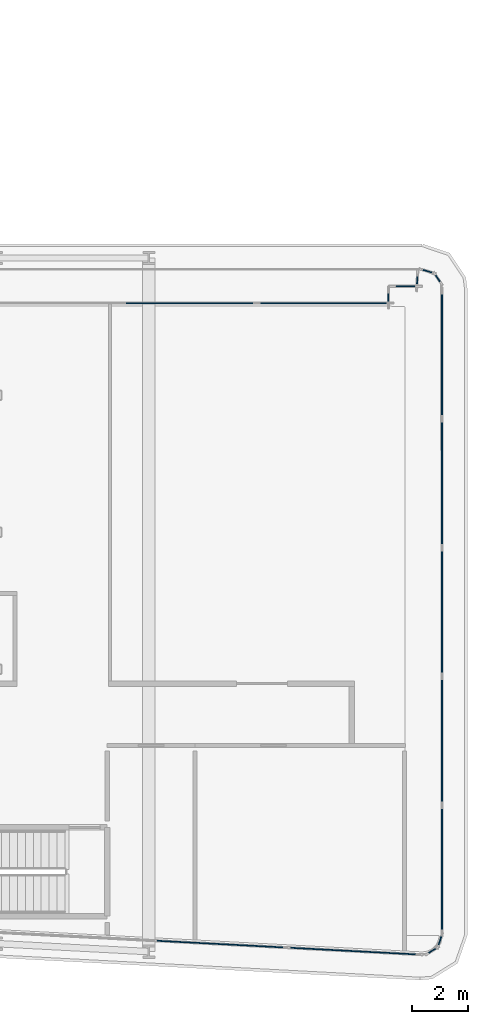
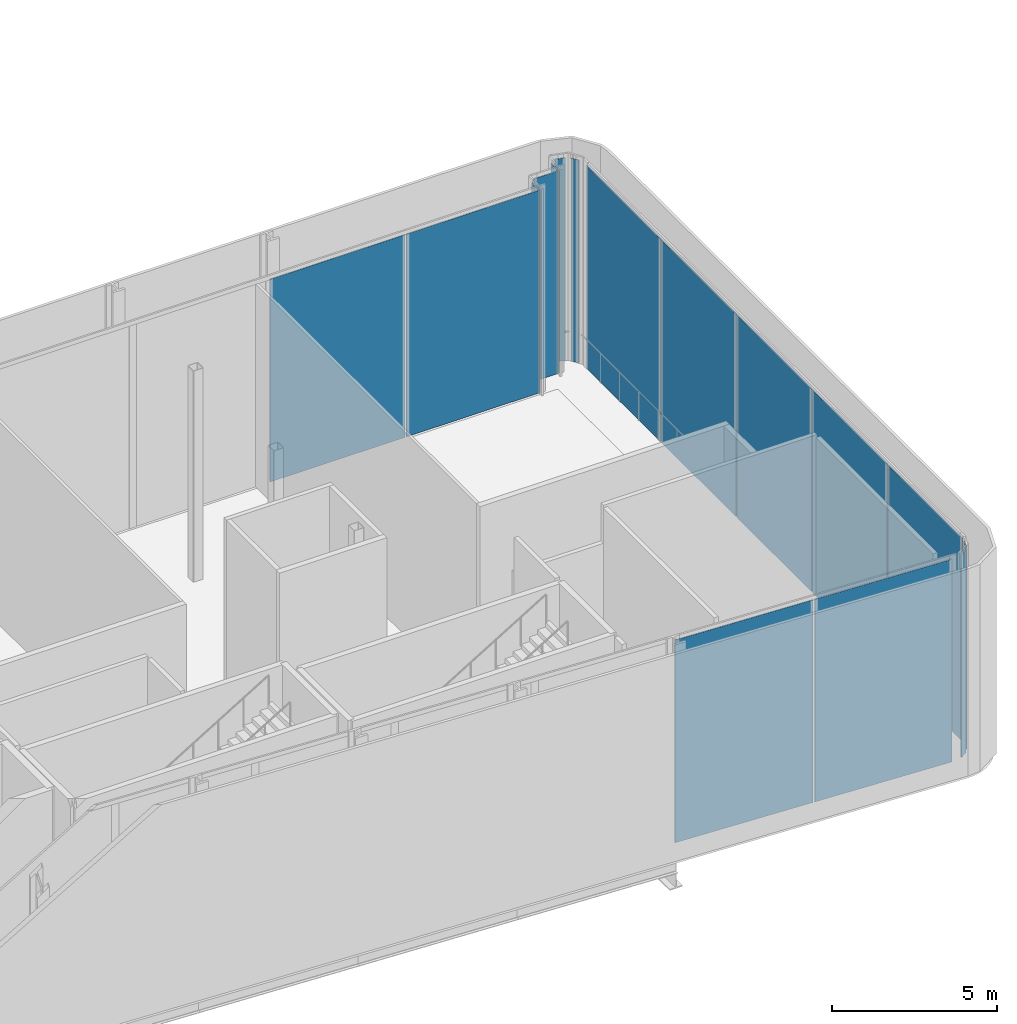
# One storey, part 22 of 36: 16 plates, 10 elements without a shape of their own.
"""IFC4 building model written with IfcOpenShell, lengths in metres."""

import ifcopenshell
import ifcopenshell.guid

model = None  # the IFC model being written
_history = None  # IfcOwnerHistory: only IFC2X3 demands one
_inside = {}  # id of a spatial element -> (the spatial element, [elements in it])
_under = {}  # id of a project, library or spatial element -> (it, [spatial elements below it])
_declared = {}  # id of a project -> (the project, [libraries it declares])
_typed = {}  # id of a type object -> (the type object, [elements of that type])
_made_of = {}  # id of a material, layer set ... -> (it, [elements and type objects made of it])


def new_model(schema):
    """Start an empty IFC model of exactly this schema.

    Asked for "IFC4X3", IfcOpenShell would pick the latest addendum, in which some entities
    have other attributes; the version numbers below select the first issue.
    IFC2X3 requires an IfcOwnerHistory on every rooted entity: one is made here for all.
    """
    global model, _history
    if schema == "IFC4X3":
        model = ifcopenshell.file(schema_version=(4, 3, 0, 0))
    else:
        model = ifcopenshell.file(schema=schema)
    _inside.clear()
    _under.clear()
    _declared.clear()
    _typed.clear()
    _made_of.clear()
    _history = None
    if model.schema == "IFC2X3":
        org = make("IfcOrganization", Name="unknown")
        user = make(
            "IfcPersonAndOrganization",
            ThePerson=make("IfcPerson", FamilyName="unknown"),
            TheOrganization=org,
        )
        app = make(
            "IfcApplication",
            ApplicationDeveloper=org,
            Version="unknown",
            ApplicationFullName="unknown",
            ApplicationIdentifier="unknown",
        )
        _history = make(
            "IfcOwnerHistory",
            OwningUser=user,
            OwningApplication=app,
            ChangeAction="ADDED",
            CreationDate=0,
        )
    return model


def make(cls, **values):
    """One entity of the class cls with the attributes given. An attribute that is None is left unset."""
    return model.create_entity(
        cls, **{name: value for name, value in values.items() if value is not None}
    )


def rooted(cls, **values):
    """An entity with a GlobalId (a new one), such as an element, a storey or a relation."""
    return make(cls, GlobalId=ifcopenshell.guid.new(), OwnerHistory=_history, **values)


def si_unit(unit_type, name, prefix=None):
    """IfcSIUnit, for example si_unit("LENGTHUNIT", "METRE", prefix="MILLI")."""
    return make("IfcSIUnit", UnitType=unit_type, Prefix=prefix, Name=name)


def assignment(units):
    """IfcUnitAssignment: the units of a project."""
    return None if units is None else make("IfcUnitAssignment", Units=units)


def point(xyz):
    """IfcCartesianPoint."""
    return None if xyz is None else make("IfcCartesianPoint", Coordinates=xyz)


def direction(xyz):
    """IfcDirection."""
    return None if xyz is None else make("IfcDirection", DirectionRatios=xyz)


def frame(location, z_axis=None, x_axis=None):
    """IfcAxis2Placement3D, a coordinate frame: its origin and axes. An axis left out is left unset."""
    return make(
        "IfcAxis2Placement3D",
        Location=point(location),
        Axis=direction(z_axis),
        RefDirection=direction(x_axis),
    )


def frame_2d(location, x_axis=None):
    """IfcAxis2Placement2D, a coordinate frame in the plane: its origin and x axis."""
    return make(
        "IfcAxis2Placement2D", Location=point(location), RefDirection=direction(x_axis)
    )


def origin():
    """The frame at (0, 0, 0) with its axes left unset."""
    return frame((0.0, 0.0, 0.0))


def origin_2d():
    """The frame at (0, 0) in the plane with its x axis left unset."""
    return frame_2d((0.0, 0.0))


def place(relative_to, where):
    """IfcLocalPlacement: puts the frame where relative to a parent placement (None: the world)."""
    return make(
        "IfcLocalPlacement", PlacementRelTo=relative_to, RelativePlacement=where
    )


def context(
    kind, dimensions, precision=None, world=None, true_north=None, identifier=None
):
    """IfcGeometricRepresentationContext, for example the 3D "Model" context."""
    return make(
        "IfcGeometricRepresentationContext",
        ContextIdentifier=identifier,
        ContextType=kind,
        CoordinateSpaceDimension=dimensions,
        Precision=precision,
        WorldCoordinateSystem=world,
        TrueNorth=true_north,
    )


def subcontext(parent, identifier, kind, view, scale=None):
    """IfcGeometricRepresentationSubContext, for example "Body" below "Model"."""
    return make(
        "IfcGeometricRepresentationSubContext",
        ContextIdentifier=identifier,
        ContextType=kind,
        ParentContext=parent,
        TargetScale=scale,
        TargetView=view,
    )


def project(units=None, contexts=None):
    """IfcProject with its units and contexts."""
    return rooted(
        "IfcProject",
        Name="project",
        RepresentationContexts=contexts,
        UnitsInContext=assignment(units),
    )


def spatial(cls, under=None, at=None, **own):
    """A site, building, storey or space (cls), placed at a placement, below another one or the project."""
    s = rooted(cls, ObjectPlacement=at, **own)
    if under is not None:
        _under.setdefault(under.id(), (under, []))[1].append(s)
    return s


def profile(cls, at=None, kind="AREA", **sizes):
    """A parametric profile (cls). Its sizes go by their IFC names, for example OverallWidth=200.0."""
    return make(cls, ProfileType=kind, Position=at, **sizes)


def rectangle(**sizes):
    """IfcRectangleProfileDef."""
    return profile("IfcRectangleProfileDef", **sizes)


def extrude(swept, where, along, depth):
    """IfcExtrudedAreaSolid: the profile swept, set in the frame where, extruded along a direction by depth."""
    return make(
        "IfcExtrudedAreaSolid",
        SweptArea=swept,
        Position=where,
        ExtrudedDirection=direction(along),
        Depth=depth,
    )


def shape(context_of_items, identifier, shape_type, items):
    """IfcShapeRepresentation: the items that make up one representation, for example the "Body"."""
    return make(
        "IfcShapeRepresentation",
        ContextOfItems=context_of_items,
        RepresentationIdentifier=identifier,
        RepresentationType=shape_type,
        Items=items,
    )


def material(Name=None, Category=None):
    """IfcMaterial."""
    return make("IfcMaterial", Name=Name, Category=Category)


def layer(
    of_material, thickness, ventilated=None, Name=None, Category=None, Priority=None
):
    """IfcMaterialLayer: one layer of a wall or slab, of a material (None: an air gap)."""
    return make(
        "IfcMaterialLayer",
        Material=of_material,
        LayerThickness=thickness,
        IsVentilated=ventilated,
        Name=Name,
        Category=Category,
        Priority=Priority,
    )


def layer_set(layers, Name=None):
    """IfcMaterialLayerSet."""
    return make("IfcMaterialLayerSet", MaterialLayers=layers, LayerSetName=Name)


def made_of(thing, what):
    """Note that an element or type object is made of a material, layer set ...; save() writes the relation."""
    if what is not None:
        _made_of.setdefault(what.id(), (what, []))[1].append(thing)
    return thing


def type_object(cls, material=None, **own):
    """A type object (cls), such as IfcWallType, which elements share."""
    return made_of(rooted(cls, **own), material)


def element(
    cls,
    number,
    at=None,
    inside=None,
    cuts=None,
    type_object=None,
    material=None,
    context=None,
    identifier="Body",
    shape_type=None,
    held_by="IfcProductDefinitionShape",
    body=None,
    shapes=None,
    **own,
):
    """One element of the class cls, such as IfcWall. Its Tag is "e" and its number.

    at: its placement. inside: the storey or other place that contains it. cuts: it is an
    opening in that element (IfcRelVoidsElement). A single representation is given by context,
    identifier, shape_type and body (its items); several are given by shapes. held_by: the class
    of the entity that holds the representations. save() writes the other relations.
    """
    e = rooted(cls, Tag="e%d" % number, ObjectPlacement=at, **own)
    if body is not None:
        shapes = [shape(context, identifier, shape_type, body)]
    if shapes is not None:
        e.Representation = make(held_by, Representations=shapes)
    if inside is not None:
        _inside.setdefault(inside.id(), (inside, []))[1].append(e)
    if cuts is not None:
        rooted(
            "IfcRelVoidsElement", RelatingBuildingElement=cuts, RelatedOpeningElement=e
        )
    if type_object is not None:
        _typed.setdefault(type_object.id(), (type_object, []))[1].append(e)
    return made_of(e, material)


def aggregate(whole, parts):
    """IfcRelAggregates: a whole, such as a stair, and the parts it consists of."""
    return rooted("IfcRelAggregates", RelatingObject=whole, RelatedObjects=parts)


def save(model, path):
    """Write the relations noted so far, then the file.

    IfcRelAggregates (storeys below a building ...), IfcRelContainedInSpatialStructure (elements
    in a storey), IfcRelDefinesByType, IfcRelAssociatesMaterial and IfcRelDeclares: one each for
    every whole, place, type object, material and project.
    """
    for whole, parts in _under.values():
        aggregate(whole, parts)
    for where, things in _inside.values():
        rooted(
            "IfcRelContainedInSpatialStructure",
            RelatedElements=things,
            RelatingStructure=where,
        )
    for kind, things in _typed.values():
        rooted("IfcRelDefinesByType", RelatedObjects=things, RelatingType=kind)
    for what, things in _made_of.values():
        rooted("IfcRelAssociatesMaterial", RelatedObjects=things, RelatingMaterial=what)
    for by, libraries in _declared.values():
        rooted("IfcRelDeclares", RelatingContext=by, RelatedDefinitions=libraries)
    model.write(path)


model = new_model("IFC4")

# Units and contexts
model_context = context("Model", 3, precision=1e-05, world=origin(), true_north=direction((0.0, 1.0)))
body_context = subcontext(model_context, "Body", "Model", "MODEL_VIEW")
ifc_project = project(units=[si_unit("LENGTHUNIT", "METRE"), si_unit("AREAUNIT", "SQUARE_METRE"), si_unit("VOLUMEUNIT", "CUBIC_METRE"), si_unit("PLANEANGLEUNIT", "RADIAN"), si_unit("MASSUNIT", "GRAM", prefix="KILO")], contexts=[model_context])

# Site, building, storey
site_placement = place(None, origin())
site = spatial("IfcSite", under=ifc_project, at=site_placement, CompositionType="ELEMENT")
building_placement = place(site_placement, origin())
building = spatial("IfcBuilding", under=site, at=building_placement, Name="Kheshtan School and Residences Tower", CompositionType="ELEMENT")
storey_placement = place(building_placement, frame((0.0, 0.0, 81.199951171875)))
storey = spatial("IfcBuildingStorey", under=building, at=storey_placement, Name="L19", CompositionType="ELEMENT", Elevation=81.199951171875)

# Curtain wall, plates
ifc_material = material(Name="Clear low-e glass in thermally broken aluminium frame", Category="aluminium")
ifc_layer_1 = layer(ifc_material, 0.25)
ifc_layer_set_1 = layer_set([ifc_layer_1], Name="Curtain wall CW-G")
curtain_wall_type_1 = type_object("IfcCurtainWallType", Name="Curtain wall CW-G", PredefinedType="NOTDEFINED", material=ifc_layer_set_1)
curtain_wall_1_placement = place(storey_placement, origin())
curtain_wall_1 = element("IfcCurtainWall", 1, at=curtain_wall_1_placement, inside=storey, type_object=curtain_wall_type_1, Name="Curtain wall CWG5a", PredefinedType="NOTDEFINED")
ifc_layer_2 = layer(ifc_material, 0.0380859375)
ifc_layer_set_2 = layer_set([ifc_layer_2], Name="CW-G glass panel")
plate_type_1 = type_object("IfcPlateType", Name="CW-G glass panel", PredefinedType="CURTAIN_PANEL", material=ifc_layer_set_2)
plate_1_placement = place(storey_placement, frame((92.239013671875, 44.0, 0.0), z_axis=(0.0, 0.0, 1.0), x_axis=(1.0, 0.0, 0.0)))
plate_1 = element("IfcPlate", 2, at=plate_1_placement, type_object=plate_type_1, Name="CWG5a panel 4.1", PredefinedType="CURTAIN_PANEL", context=body_context, shape_type="SweptSolid", body=[
    extrude(rectangle(XDim=4.714111328125, YDim=0.0380859375, at=origin_2d()), origin(), (0.0, 0.0, 1.0), 7.489990234375),
])
plate_2_placement = place(storey_placement, frame((96.998046875, 44.0, 0.0), z_axis=(0.0, 0.0, 1.0), x_axis=(1.0, 0.0, 0.0)))
plate_2 = element("IfcPlate", 3, at=plate_2_placement, type_object=plate_type_1, Name="CWG5a panel 5.1", PredefinedType="CURTAIN_PANEL", context=body_context, shape_type="SweptSolid", body=[
    extrude(rectangle(XDim=4.68408203125, YDim=0.0380859375, at=origin_2d()), origin(), (0.0, 0.0, 1.0), 7.489990234375),
])
aggregate(curtain_wall_1, [plate_1, plate_2])

# Curtain wall, plate
ifc_layer_3 = layer(ifc_material, 0.25)
ifc_layer_set_3 = layer_set([ifc_layer_3], Name="Curtain wall CW-K")
curtain_wall_type_2 = type_object("IfcCurtainWallType", Name="Curtain wall CW-K", PredefinedType="NOTDEFINED", material=ifc_layer_set_3)
curtain_wall_2_placement = place(storey_placement, origin())
curtain_wall_2 = element("IfcCurtainWall", 4, at=curtain_wall_2_placement, inside=storey, type_object=curtain_wall_type_2, Name="Curtain wall CWK6", PredefinedType="NOTDEFINED")
ifc_layer_4 = layer(ifc_material, 0.0380859375)
ifc_layer_set_4 = layer_set([ifc_layer_4], Name="CW-K glass panel")
plate_type_2 = type_object("IfcPlateType", Name="CW-K glass panel", PredefinedType="CURTAIN_PANEL", material=ifc_layer_set_4)
plate_3_placement = place(storey_placement, frame((99.300048828125, 44.199951171875, 0.0), z_axis=(0.0, 0.0, 1.0), x_axis=(0.0, 1.0, 0.0)))
plate_3 = element("IfcPlate", 5, at=plate_3_placement, type_object=plate_type_2, Name="CWK6 panel 1.1", PredefinedType="CURTAIN_PANEL", context=body_context, shape_type="SweptSolid", body=[
    extrude(rectangle(XDim=0.47998046875, YDim=0.0380859375, at=origin_2d()), origin(), (0.0, 0.0, 1.0), 7.489990234375),
])
aggregate(curtain_wall_2, [plate_3])

curtain_wall_3_placement = place(storey_placement, origin())
curtain_wall_3 = element("IfcCurtainWall", 6, at=curtain_wall_3_placement, inside=storey, type_object=curtain_wall_type_2, Name="Curtain wall CWK7", PredefinedType="NOTDEFINED")
plate_4_placement = place(storey_placement, frame((99.900390625, 44.60009765625, 0.0), z_axis=(0.0, 0.0, 1.0), x_axis=(1.0, 0.0, 0.0)))
plate_4 = element("IfcPlate", 7, at=plate_4_placement, type_object=plate_type_2, Name="CWK7 panel 1.1", PredefinedType="CURTAIN_PANEL", context=body_context, shape_type="SweptSolid", body=[
    extrude(rectangle(XDim=0.881103515625, YDim=0.0380859375, at=origin_2d()), origin(), (0.0, 0.0, 1.0), 7.489990234375),
])
aggregate(curtain_wall_3, [plate_4])

curtain_wall_4_placement = place(storey_placement, origin())
curtain_wall_4 = element("IfcCurtainWall", 8, at=curtain_wall_4_placement, inside=storey, type_object=curtain_wall_type_2, Name="Curtain wall CWK8", PredefinedType="NOTDEFINED")
plate_5_placement = place(storey_placement, frame((100.32080078125, 44.806396484375, 0.0), z_axis=(0.0, 0.0, 1.0), x_axis=(0.06486312108, 0.997894170503, 0.0)))
plate_5 = element("IfcPlate", 9, at=plate_5_placement, type_object=plate_type_2, Name="CWK8 panel 1.1", PredefinedType="CURTAIN_PANEL", context=body_context, shape_type="SweptSolid", body=[
    extrude(rectangle(XDim=0.481201171875, YDim=0.0380859375, at=origin_2d()), origin(), (0.0, 0.0, 1.0), 7.489990234375),
])
aggregate(curtain_wall_4, [plate_5])

curtain_wall_5_placement = place(storey_placement, origin())
curtain_wall_5 = element("IfcCurtainWall", 10, at=curtain_wall_5_placement, inside=storey, type_object=curtain_wall_type_2, Name="Curtain wall CWK9", PredefinedType="NOTDEFINED")
plate_6_placement = place(storey_placement, frame((100.680908203125, 45.1328125, 0.0), z_axis=(0.0, 0.0, 1.0), x_axis=(0.958752584368, -0.284241942661, 0.0)))
plate_6 = element("IfcPlate", 11, at=plate_6_placement, type_object=plate_type_2, Name="CWK9 panel 1.1", PredefinedType="CURTAIN_PANEL", context=body_context, shape_type="SweptSolid", body=[
    extrude(rectangle(XDim=0.3232421875, YDim=0.0380859375, at=origin_2d()), origin(), (0.0, 0.0, 1.0), 7.489990234375),
])
aggregate(curtain_wall_5, [plate_6])

curtain_wall_6_placement = place(storey_placement, origin())
curtain_wall_6 = element("IfcCurtainWall", 12, at=curtain_wall_6_placement, inside=storey, type_object=curtain_wall_type_2, Name="Curtain wall CWK10", PredefinedType="NOTDEFINED")
plate_7_placement = place(storey_placement, frame((101.0546875, 44.8701171875, 0.0), z_axis=(0.0, 0.0, 1.0), x_axis=(0.555301678168, -0.831648992198, 0.0)))
plate_7 = element("IfcPlate", 13, at=plate_7_placement, type_object=plate_type_2, Name="CWK10 panel 1.1", PredefinedType="CURTAIN_PANEL", context=body_context, shape_type="SweptSolid", body=[
    extrude(rectangle(XDim=0.263671875, YDim=0.0380859375, at=origin_2d()), origin(), (0.0, 0.0, 1.0), 7.489990234375),
])
aggregate(curtain_wall_6, [plate_7])

# Curtain wall, plates
curtain_wall_7_placement = place(storey_placement, origin())
curtain_wall_7 = element("IfcCurtainWall", 14, at=curtain_wall_7_placement, inside=storey, type_object=curtain_wall_type_2, Name="Curtain wall CWK11", PredefinedType="NOTDEFINED")
plate_8_placement = place(storey_placement, frame((101.199951171875, 42.169189453125, 0.0), z_axis=(0.0, 0.0, 1.0), x_axis=(0.0, -1.0, 0.0)))
plate_8 = element("IfcPlate", 15, at=plate_8_placement, type_object=plate_type_2, Name="CWK11 panel 1.1", PredefinedType="CURTAIN_PANEL", context=body_context, shape_type="SweptSolid", body=[
    extrude(rectangle(XDim=4.481689453125, YDim=0.0380859375, at=origin_2d()), origin(), (0.0, 0.0, 1.0), 7.489990234375),
])
plate_9_placement = place(storey_placement, frame((101.199951171875, 37.612548828125, 0.0), z_axis=(0.0, 0.0, 1.0), x_axis=(0.0, -1.0, 0.0)))
plate_9 = element("IfcPlate", 16, at=plate_9_placement, type_object=plate_type_2, Name="CWK11 panel 2.1", PredefinedType="CURTAIN_PANEL", context=body_context, shape_type="SweptSolid", body=[
    extrude(rectangle(XDim=4.51171875, YDim=0.0380859375, at=origin_2d()), origin(), (0.0, 0.0, 1.0), 7.489990234375),
])
plate_10_placement = place(storey_placement, frame((101.199951171875, 33.041015625, 0.0), z_axis=(0.0, 0.0, 1.0), x_axis=(0.0, -1.0, 0.0)))
plate_10 = element("IfcPlate", 17, at=plate_10_placement, type_object=plate_type_2, Name="CWK11 panel 3.1", PredefinedType="CURTAIN_PANEL", context=body_context, shape_type="SweptSolid", body=[
    extrude(rectangle(XDim=4.51171875, YDim=0.0380859375, at=origin_2d()), origin(), (0.0, 0.0, 1.0), 7.489990234375),
])
plate_11_placement = place(storey_placement, frame((101.199951171875, 28.469482421875, 0.0), z_axis=(0.0, 0.0, 1.0), x_axis=(0.0, -1.0, 0.0)))
plate_11 = element("IfcPlate", 18, at=plate_11_placement, type_object=plate_type_2, Name="CWK11 panel 4.1", PredefinedType="CURTAIN_PANEL", context=body_context, shape_type="SweptSolid", body=[
    extrude(rectangle(XDim=4.51171875, YDim=0.0380859375, at=origin_2d()), origin(), (0.0, 0.0, 1.0), 7.489990234375),
])
plate_12_placement = place(storey_placement, frame((101.199951171875, 23.912841796875, 0.0), z_axis=(0.0, 0.0, 1.0), x_axis=(0.0, -1.0, 0.0)))
plate_12 = element("IfcPlate", 19, at=plate_12_placement, type_object=plate_type_2, Name="CWK11 panel 5.1", PredefinedType="CURTAIN_PANEL", context=body_context, shape_type="SweptSolid", body=[
    extrude(rectangle(XDim=4.481689453125, YDim=0.0380859375, at=origin_2d()), origin(), (0.0, 0.0, 1.0), 7.489990234375),
])
aggregate(curtain_wall_7, [plate_8, plate_9, plate_10, plate_11, plate_12])

# Curtain wall, plate
curtain_wall_8_placement = place(storey_placement, origin())
curtain_wall_8 = element("IfcCurtainWall", 20, at=curtain_wall_8_placement, inside=storey, type_object=curtain_wall_type_2, Name="Curtain wall CWK12", PredefinedType="NOTDEFINED")
plate_13_placement = place(storey_placement, frame((101.129150390625, 21.37890625, 0.0), z_axis=(0.0, 0.0, 1.0), x_axis=(-0.310575339699, -0.950548766961, 0.0)))
plate_13 = element("IfcPlate", 21, at=plate_13_placement, type_object=plate_type_2, Name="CWK12 panel 1.1", PredefinedType="CURTAIN_PANEL", context=body_context, shape_type="SweptSolid", body=[
    extrude(rectangle(XDim=0.304931640625, YDim=0.0380859375, at=origin_2d()), origin(), (0.0, 0.0, 1.0), 7.489990234375),
])
aggregate(curtain_wall_8, [plate_13])

curtain_wall_9_placement = place(storey_placement, origin())
curtain_wall_9 = element("IfcCurtainWall", 22, at=curtain_wall_9_placement, inside=storey, type_object=curtain_wall_type_2, Name="Curtain wall CWK13", PredefinedType="NOTDEFINED")
plate_14_placement = place(storey_placement, frame((100.850830078125, 21.017578125, 0.0), z_axis=(0.0, 0.0, 1.0), x_axis=(-0.849678775936, -0.527300652118, 0.0)))
plate_14 = element("IfcPlate", 23, at=plate_14_placement, type_object=plate_type_2, Name="CWK13 panel 1.1", PredefinedType="CURTAIN_PANEL", context=body_context, shape_type="SweptSolid", body=[
    extrude(rectangle(XDim=0.280029296875, YDim=0.0380859375, at=origin_2d()), origin(), (0.0, 0.0, 1.0), 7.489990234375),
])
aggregate(curtain_wall_9, [plate_14])

# Curtain wall, plates
curtain_wall_10_placement = place(storey_placement, origin())
curtain_wall_10 = element("IfcCurtainWall", 24, at=curtain_wall_10_placement, inside=storey, type_object=curtain_wall_type_2, Name="Curtain wall CWK14", PredefinedType="NOTDEFINED")
plate_15_placement = place(storey_placement, frame((98.04736328125, 21.0087890625, 0.0), z_axis=(0.0, 0.0, 1.0), x_axis=(-0.998617247391, 0.052569888839, 0.0)))
plate_15 = element("IfcPlate", 25, at=plate_15_placement, type_object=plate_type_2, Name="CWK14 panel 1.1", PredefinedType="CURTAIN_PANEL", context=body_context, shape_type="SweptSolid", body=[
    extrude(rectangle(XDim=4.657470703125, YDim=0.0380859375, at=origin_2d()), origin(), (0.0, 0.0, 1.0), 7.489990234375),
])
plate_16_placement = place(storey_placement, frame((93.321533203125, 21.257568359375, 0.0), z_axis=(0.0, 0.0, 1.0), x_axis=(-0.998617247391, 0.052569888839, 0.0)))
plate_16 = element("IfcPlate", 26, at=plate_16_placement, type_object=plate_type_2, Name="CWK14 panel 2.1", PredefinedType="CURTAIN_PANEL", context=body_context, shape_type="SweptSolid", body=[
    extrude(rectangle(XDim=4.6875, YDim=0.0380859375, at=origin_2d()), origin(), (0.0, 0.0, 1.0), 7.489990234375),
])
aggregate(curtain_wall_10, [plate_15, plate_16])

save(model, "model.ifc")
